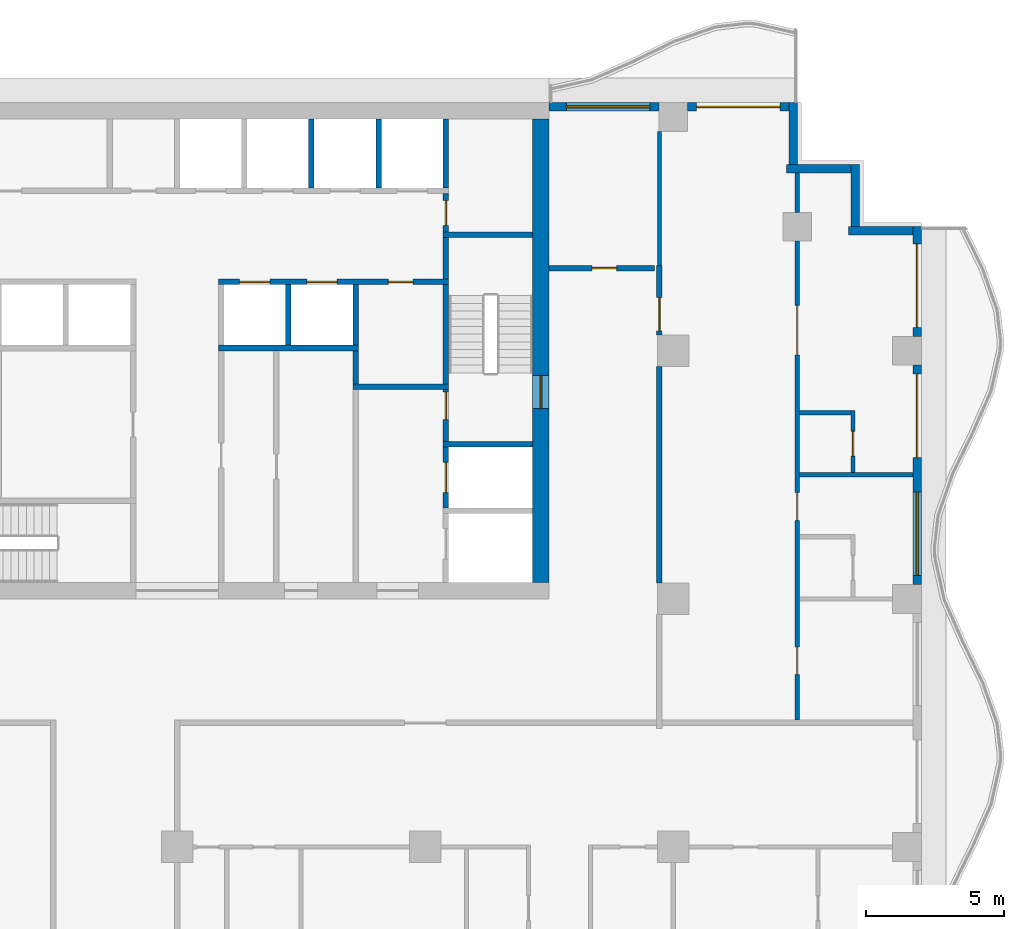
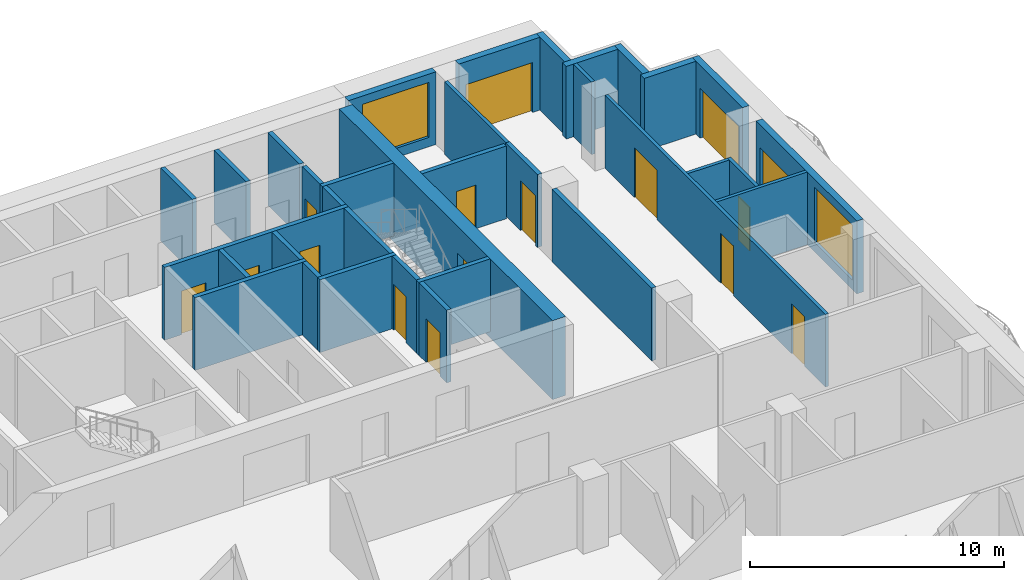
# One storey, part 6 of 11: 34 walls, 16 doors, 2 windows, 18 openings.
"""IFC4 building model written with IfcOpenShell, lengths in metres."""

import ifcopenshell
import ifcopenshell.guid

model = None  # the IFC model being written
_history = None  # IfcOwnerHistory: only IFC2X3 demands one
_inside = {}  # id of a spatial element -> (the spatial element, [elements in it])
_under = {}  # id of a project, library or spatial element -> (it, [spatial elements below it])
_declared = {}  # id of a project -> (the project, [libraries it declares])
_typed = {}  # id of a type object -> (the type object, [elements of that type])
_made_of = {}  # id of a material, layer set ... -> (it, [elements and type objects made of it])


def new_model(schema):
    """Start an empty IFC model of exactly this schema.

    Asked for "IFC4X3", IfcOpenShell would pick the latest addendum, in which some entities
    have other attributes; the version numbers below select the first issue.
    IFC2X3 requires an IfcOwnerHistory on every rooted entity: one is made here for all.
    """
    global model, _history
    if schema == "IFC4X3":
        model = ifcopenshell.file(schema_version=(4, 3, 0, 0))
    else:
        model = ifcopenshell.file(schema=schema)
    _inside.clear()
    _under.clear()
    _declared.clear()
    _typed.clear()
    _made_of.clear()
    _history = None
    if model.schema == "IFC2X3":
        org = make("IfcOrganization", Name="unknown")
        user = make(
            "IfcPersonAndOrganization",
            ThePerson=make("IfcPerson", FamilyName="unknown"),
            TheOrganization=org,
        )
        app = make(
            "IfcApplication",
            ApplicationDeveloper=org,
            Version="unknown",
            ApplicationFullName="unknown",
            ApplicationIdentifier="unknown",
        )
        _history = make(
            "IfcOwnerHistory",
            OwningUser=user,
            OwningApplication=app,
            ChangeAction="ADDED",
            CreationDate=0,
        )
    return model


def make(cls, **values):
    """One entity of the class cls with the attributes given. An attribute that is None is left unset."""
    return model.create_entity(
        cls, **{name: value for name, value in values.items() if value is not None}
    )


def rooted(cls, **values):
    """An entity with a GlobalId (a new one), such as an element, a storey or a relation."""
    return make(cls, GlobalId=ifcopenshell.guid.new(), OwnerHistory=_history, **values)


def si_unit(unit_type, name, prefix=None):
    """IfcSIUnit, for example si_unit("LENGTHUNIT", "METRE", prefix="MILLI")."""
    return make("IfcSIUnit", UnitType=unit_type, Prefix=prefix, Name=name)


def assignment(units):
    """IfcUnitAssignment: the units of a project."""
    return None if units is None else make("IfcUnitAssignment", Units=units)


def point(xyz):
    """IfcCartesianPoint."""
    return None if xyz is None else make("IfcCartesianPoint", Coordinates=xyz)


def direction(xyz):
    """IfcDirection."""
    return None if xyz is None else make("IfcDirection", DirectionRatios=xyz)


def frame(location, z_axis=None, x_axis=None):
    """IfcAxis2Placement3D, a coordinate frame: its origin and axes. An axis left out is left unset."""
    return make(
        "IfcAxis2Placement3D",
        Location=point(location),
        Axis=direction(z_axis),
        RefDirection=direction(x_axis),
    )


def frame_2d(location, x_axis=None):
    """IfcAxis2Placement2D, a coordinate frame in the plane: its origin and x axis."""
    return make(
        "IfcAxis2Placement2D", Location=point(location), RefDirection=direction(x_axis)
    )


def origin():
    """The frame at (0, 0, 0) with its axes left unset."""
    return frame((0.0, 0.0, 0.0))


def place(relative_to, where):
    """IfcLocalPlacement: puts the frame where relative to a parent placement (None: the world)."""
    return make(
        "IfcLocalPlacement", PlacementRelTo=relative_to, RelativePlacement=where
    )


def context(
    kind, dimensions, precision=None, world=None, true_north=None, identifier=None
):
    """IfcGeometricRepresentationContext, for example the 3D "Model" context."""
    return make(
        "IfcGeometricRepresentationContext",
        ContextIdentifier=identifier,
        ContextType=kind,
        CoordinateSpaceDimension=dimensions,
        Precision=precision,
        WorldCoordinateSystem=world,
        TrueNorth=true_north,
    )


def subcontext(parent, identifier, kind, view, scale=None):
    """IfcGeometricRepresentationSubContext, for example "Body" below "Model"."""
    return make(
        "IfcGeometricRepresentationSubContext",
        ContextIdentifier=identifier,
        ContextType=kind,
        ParentContext=parent,
        TargetScale=scale,
        TargetView=view,
    )


def project(units=None, contexts=None):
    """IfcProject with its units and contexts."""
    return rooted(
        "IfcProject",
        Name="project",
        RepresentationContexts=contexts,
        UnitsInContext=assignment(units),
    )


def spatial(cls, under=None, at=None, **own):
    """A site, building, storey or space (cls), placed at a placement, below another one or the project."""
    s = rooted(cls, ObjectPlacement=at, **own)
    if under is not None:
        _under.setdefault(under.id(), (under, []))[1].append(s)
    return s


def profile(cls, at=None, kind="AREA", **sizes):
    """A parametric profile (cls). Its sizes go by their IFC names, for example OverallWidth=200.0."""
    return make(cls, ProfileType=kind, Position=at, **sizes)


def rectangle(**sizes):
    """IfcRectangleProfileDef."""
    return profile("IfcRectangleProfileDef", **sizes)


def extrude(swept, where, along, depth):
    """IfcExtrudedAreaSolid: the profile swept, set in the frame where, extruded along a direction by depth."""
    return make(
        "IfcExtrudedAreaSolid",
        SweptArea=swept,
        Position=where,
        ExtrudedDirection=direction(along),
        Depth=depth,
    )


def shape(context_of_items, identifier, shape_type, items):
    """IfcShapeRepresentation: the items that make up one representation, for example the "Body"."""
    return make(
        "IfcShapeRepresentation",
        ContextOfItems=context_of_items,
        RepresentationIdentifier=identifier,
        RepresentationType=shape_type,
        Items=items,
    )


def material(Name=None, Category=None):
    """IfcMaterial."""
    return make("IfcMaterial", Name=Name, Category=Category)


def layer(
    of_material, thickness, ventilated=None, Name=None, Category=None, Priority=None
):
    """IfcMaterialLayer: one layer of a wall or slab, of a material (None: an air gap)."""
    return make(
        "IfcMaterialLayer",
        Material=of_material,
        LayerThickness=thickness,
        IsVentilated=ventilated,
        Name=Name,
        Category=Category,
        Priority=Priority,
    )


def layer_set(layers, Name=None):
    """IfcMaterialLayerSet."""
    return make("IfcMaterialLayerSet", MaterialLayers=layers, LayerSetName=Name)


def made_of(thing, what):
    """Note that an element or type object is made of a material, layer set ...; save() writes the relation."""
    if what is not None:
        _made_of.setdefault(what.id(), (what, []))[1].append(thing)
    return thing


def type_object(cls, material=None, **own):
    """A type object (cls), such as IfcWallType, which elements share."""
    return made_of(rooted(cls, **own), material)


def element(
    cls,
    number,
    at=None,
    inside=None,
    cuts=None,
    type_object=None,
    material=None,
    context=None,
    identifier="Body",
    shape_type=None,
    held_by="IfcProductDefinitionShape",
    body=None,
    shapes=None,
    **own,
):
    """One element of the class cls, such as IfcWall. Its Tag is "e" and its number.

    at: its placement. inside: the storey or other place that contains it. cuts: it is an
    opening in that element (IfcRelVoidsElement). A single representation is given by context,
    identifier, shape_type and body (its items); several are given by shapes. held_by: the class
    of the entity that holds the representations. save() writes the other relations.
    """
    e = rooted(cls, Tag="e%d" % number, ObjectPlacement=at, **own)
    if body is not None:
        shapes = [shape(context, identifier, shape_type, body)]
    if shapes is not None:
        e.Representation = make(held_by, Representations=shapes)
    if inside is not None:
        _inside.setdefault(inside.id(), (inside, []))[1].append(e)
    if cuts is not None:
        rooted(
            "IfcRelVoidsElement", RelatingBuildingElement=cuts, RelatedOpeningElement=e
        )
    if type_object is not None:
        _typed.setdefault(type_object.id(), (type_object, []))[1].append(e)
    return made_of(e, material)


def fill(opening, filler):
    """IfcRelFillsElement: the door or window that sits in an opening."""
    return rooted(
        "IfcRelFillsElement",
        RelatingOpeningElement=opening,
        RelatedBuildingElement=filler,
    )


def aggregate(whole, parts):
    """IfcRelAggregates: a whole, such as a stair, and the parts it consists of."""
    return rooted("IfcRelAggregates", RelatingObject=whole, RelatedObjects=parts)


def save(model, path):
    """Write the relations noted so far, then the file.

    IfcRelAggregates (storeys below a building ...), IfcRelContainedInSpatialStructure (elements
    in a storey), IfcRelDefinesByType, IfcRelAssociatesMaterial and IfcRelDeclares: one each for
    every whole, place, type object, material and project.
    """
    for whole, parts in _under.values():
        aggregate(whole, parts)
    for where, things in _inside.values():
        rooted(
            "IfcRelContainedInSpatialStructure",
            RelatedElements=things,
            RelatingStructure=where,
        )
    for kind, things in _typed.values():
        rooted("IfcRelDefinesByType", RelatedObjects=things, RelatingType=kind)
    for what, things in _made_of.values():
        rooted("IfcRelAssociatesMaterial", RelatedObjects=things, RelatingMaterial=what)
    for by, libraries in _declared.values():
        rooted("IfcRelDeclares", RelatingContext=by, RelatedDefinitions=libraries)
    model.write(path)


model = new_model("IFC4")

# Units and contexts
model_context = context("Model", 3, precision=1e-05, world=origin(), true_north=direction((0.0, 1.0)))
body_context = subcontext(model_context, "Body", "Model", "MODEL_VIEW")
ifc_project = project(units=[si_unit("LENGTHUNIT", "METRE"), si_unit("AREAUNIT", "SQUARE_METRE"), si_unit("VOLUMEUNIT", "CUBIC_METRE"), si_unit("PLANEANGLEUNIT", "RADIAN"), si_unit("MASSUNIT", "GRAM", prefix="KILO")], contexts=[model_context])

# Site, building, storey
site_placement = place(None, origin())
site = spatial("IfcSite", under=ifc_project, at=site_placement, CompositionType="ELEMENT")
building_placement = place(site_placement, origin())
building = spatial("IfcBuilding", under=site, at=building_placement, Name="Orbiselva Terraces", CompositionType="ELEMENT")
storey_placement = place(building_placement, frame((0.0, 0.0, 184.4)))
storey = spatial("IfcBuildingStorey", under=building, at=storey_placement, Name="L46", CompositionType="ELEMENT", Elevation=184.4)

# Wall, opening, door
ifc_material_1 = material(Name="Concrete C80/95", Category="concrete")
ifc_layer_1 = layer(ifc_material_1, 0.6)
ifc_layer_set_1 = layer_set([ifc_layer_1], Name="Concrete C80/95")
wall_type_1 = type_object("IfcWallType", Name="CORE WALL 600", PredefinedType="SHEAR", material=ifc_layer_set_1)
wall_1_placement = place(storey_placement, frame((13.2, 5.1, -0.3), z_axis=(0.0, 0.0, 1.0), x_axis=(0.0, 1.0, 0.0)))
wall_1 = element("IfcWall", 1, at=wall_1_placement, inside=storey, type_object=wall_type_1, Name="Core wall L46 east", PredefinedType="SHEAR", context=body_context, shape_type="SweptSolid", body=[
    extrude(rectangle(XDim=16.8, YDim=0.6, at=frame_2d((8.4, 0.0))), origin(), (0.0, 0.0, 1.0), 3.8),
])
opening_1_placement = place(wall_1_placement, frame((6.3, 0.0, 0.3)))
opening_1 = element("IfcOpeningElement", 2, at=opening_1_placement, cuts=wall_1, Name="Opening DS1200", PredefinedType="OPENING", context=body_context, shape_type="SweptSolid", body=[
    extrude(rectangle(XDim=1.2, YDim=2.2, at=frame_2d((0.6, 1.1))), frame((0.0, 0.31, 0.0), z_axis=(0.0, -1.0, 0.0), x_axis=(1.0, 0.0, 0.0)), (0.0, 0.0, 1.0), 0.62),
])
ifc_material_2 = material(Name="Steel fire door", Category="steel")
door_type_1 = type_object("IfcDoorType", Name="STAIR DOOR 1200", OperationType="NOTDEFINED", PredefinedType="DOOR", material=ifc_material_2)
door_1_placement = place(opening_1_placement, frame((1.2, 0.0, 0.0), z_axis=(0.0, 0.0, 1.0), x_axis=(-1.0, 0.0, 0.0)))
door_1 = element("IfcDoor", 3, at=door_1_placement, inside=storey, type_object=door_type_1, Name="L46 EXIT STAIR S2 door", OperationType="SINGLE_SWING_LEFT", OverallHeight=2.2, OverallWidth=1.2, PredefinedType="DOOR", context=body_context, shape_type="SweptSolid", body=[
    extrude(rectangle(XDim=1.2, YDim=2.2, at=frame_2d((0.6, 1.1))), frame((0.0, 0.025, 0.0), z_axis=(0.0, -1.0, 0.0), x_axis=(1.0, 0.0, 0.0)), (0.0, 0.0, 1.0), 0.05),
])
fill(opening_1, door_1)

# Wall
ifc_material_3 = material(Name="Masonry blockwork", Category="masonry")
ifc_layer_2 = layer(ifc_material_3, 0.2)
ifc_layer_set_2 = layer_set([ifc_layer_2], Name="Masonry blockwork")
wall_type_2 = type_object("IfcWallType", Name="CORE-WALL-PARTITION-200", PredefinedType="PARTITIONING", material=ifc_layer_set_2)
wall_2_placement = place(storey_placement, frame((6.475, 12.3, 0.0), z_axis=(0.0, 0.0, 1.0), x_axis=(0.0, 1.0, 0.0)))
element("IfcWall", 4, at=wall_2_placement, inside=storey, type_object=wall_type_2, Name="L46 core wall 31", PredefinedType="PARTITIONING", context=body_context, shape_type="SweptSolid", body=[
    extrude(rectangle(XDim=1.2, YDim=0.2, at=frame_2d((0.6, 0.0))), origin(), (0.0, 0.0, 1.0), 3.5),
])

# Wall, opening, door
wall_3_placement = place(storey_placement, frame((9.75, 19.2, 0.0), z_axis=(0.0, 0.0, 1.0), x_axis=(0.0, -1.0, 0.0)))
wall_3 = element("IfcWall", 5, at=wall_3_placement, inside=storey, type_object=wall_type_2, Name="L46 core wall 42", PredefinedType="PARTITIONING", context=body_context, shape_type="SweptSolid", body=[
    extrude(rectangle(XDim=1.4, YDim=0.2, at=frame_2d((0.7, 0.0))), origin(), (0.0, 0.0, 1.0), 3.5),
])
opening_2_placement = place(wall_3_placement, frame((0.25, 0.0, 0.0)))
opening_2 = element("IfcOpeningElement", 6, at=opening_2_placement, cuts=wall_3, Name="Opening DR900", PredefinedType="OPENING", context=body_context, shape_type="SweptSolid", body=[
    extrude(rectangle(XDim=0.9, YDim=2.1, at=frame_2d((0.45, 1.05))), frame((0.0, 0.11, 0.0), z_axis=(0.0, -1.0, 0.0), x_axis=(1.0, 0.0, 0.0)), (0.0, 0.0, 1.0), 0.22),
])
door_type_2 = type_object("IfcDoorType", Name="ROOM DOOR 900", OperationType="NOTDEFINED", PredefinedType="DOOR", material=ifc_material_2)
door_2_placement = place(opening_2_placement, origin())
door_2 = element("IfcDoor", 7, at=door_2_placement, inside=storey, type_object=door_type_2, Name="L46 COMMS RISER ROOM door", OperationType="SINGLE_SWING_RIGHT", OverallHeight=2.1, OverallWidth=0.9, PredefinedType="DOOR", context=body_context, shape_type="SweptSolid", body=[
    extrude(rectangle(XDim=0.9, YDim=2.1, at=frame_2d((0.45, 1.05))), frame((0.0, 0.025, 0.0), z_axis=(0.0, -1.0, 0.0), x_axis=(1.0, 0.0, 0.0)), (0.0, 0.0, 1.0), 0.05),
])
fill(opening_2, door_2)

# Walls
ifc_material_4 = material(Name="Concrete C40/50", Category="concrete")
ifc_layer_3 = layer(ifc_material_4, 0.2)
ifc_layer_set_3 = layer_set([ifc_layer_3], Name="Concrete C40/50")
wall_type_3 = type_object("IfcWallType", Name="CORE-WALL-SHAFT-200", PredefinedType="PARTITIONING", material=ifc_layer_set_3)
wall_4_placement = place(storey_placement, frame((4.0375, 13.7, 0.0), z_axis=(0.0, 0.0, 1.0), x_axis=(0.0, 1.0, 0.0)))
element("IfcWall", 8, at=wall_4_placement, inside=storey, type_object=wall_type_3, Name="L46 core wall 27", PredefinedType="PARTITIONING", context=body_context, shape_type="SweptSolid", body=[
    extrude(rectangle(XDim=2.2, YDim=0.2, at=frame_2d((1.1, 0.0))), origin(), (0.0, 0.0, 1.0), 3.5),
])
wall_5_placement = place(storey_placement, frame((4.875, 19.4, 0.0), z_axis=(0.0, 0.0, 1.0), x_axis=(0.0, 1.0, 0.0)))
element("IfcWall", 9, at=wall_5_placement, inside=storey, type_object=wall_type_3, Name="L46 core wall 28", PredefinedType="PARTITIONING", context=body_context, shape_type="SweptSolid", body=[
    extrude(rectangle(XDim=2.5, YDim=0.2, at=frame_2d((1.25, 0.0))), origin(), (0.0, 0.0, 1.0), 3.5),
])
wall_6_placement = place(storey_placement, frame((6.475, 13.7, 0.0), z_axis=(0.0, 0.0, 1.0), x_axis=(0.0, 1.0, 0.0)))
element("IfcWall", 10, at=wall_6_placement, inside=storey, type_object=wall_type_3, Name="L46 core wall 32", PredefinedType="PARTITIONING", context=body_context, shape_type="SweptSolid", body=[
    extrude(rectangle(XDim=2.2, YDim=0.2, at=frame_2d((1.1, 0.0))), origin(), (0.0, 0.0, 1.0), 3.5),
])
for number, where, z_axis, x_axis, name in (
    (11, (7.3125, 19.4, 0.0), (0.0, 0.0, 1.0), (0.0, 1.0, 0.0), "L46 core wall 33"),
    (12, (9.75, 19.4, 0.0), (0.0, 0.0, 1.0), (0.0, 1.0, 0.0), "L46 core wall 43"),
):
    element("IfcWall", number, at=place(storey_placement, frame(where, z_axis=z_axis, x_axis=x_axis)), inside=storey, type_object=wall_type_3, Name=name, PredefinedType="PARTITIONING", context=body_context, shape_type="SweptSolid", body=[
        extrude(rectangle(XDim=2.5, YDim=0.2, at=frame_2d((1.25, 0.0))), origin(), (0.0, 0.0, 1.0), 3.5),
    ])
ifc_material_5 = material(Name="Concrete C60/75", Category="concrete")
ifc_layer_4 = layer(ifc_material_5, 0.2)
ifc_layer_set_4 = layer_set([ifc_layer_4], Name="Concrete C60/75")
wall_type_4 = type_object("IfcWallType", Name="CORE-WALL-SHEAR-200", PredefinedType="SHEAR", material=ifc_layer_set_4)
wall_7_placement = place(storey_placement, frame((1.5, 13.6, 0.0), z_axis=(0.0, 0.0, 1.0), x_axis=(1.0, 0.0, 0.0)))
element("IfcWall", 13, at=wall_7_placement, inside=storey, type_object=wall_type_4, Name="L46 core wall 22", PredefinedType="SHEAR", context=body_context, shape_type="SweptSolid", body=[
    extrude(rectangle(XDim=5.075, YDim=0.2, at=frame_2d((2.5375, 0.0))), origin(), (0.0, 0.0, 1.0), 3.5),
])

# Wall, openings, doors
wall_8_placement = place(storey_placement, frame((9.85, 16.0, 0.0), z_axis=(0.0, 0.0, 1.0), x_axis=(-1.0, 0.0, 0.0)))
wall_8 = element("IfcWall", 14, at=wall_8_placement, inside=storey, type_object=wall_type_4, Name="L46 core wall 24", PredefinedType="SHEAR", context=body_context, shape_type="SweptSolid", body=[
    extrude(rectangle(XDim=8.35, YDim=0.2, at=frame_2d((4.175, 0.0))), origin(), (0.0, 0.0, 1.0), 3.5),
])
opening_3_placement = place(wall_8_placement, frame((6.48125, 0.0, 0.0)))
opening_3 = element("IfcOpeningElement", 15, at=opening_3_placement, cuts=wall_8, Name="Opening LD-HR5", PredefinedType="OPENING", context=body_context, shape_type="SweptSolid", body=[
    extrude(rectangle(XDim=1.1, YDim=2.1, at=frame_2d((0.55, 1.05))), frame((0.0, 0.11, 0.0), z_axis=(0.0, -1.0, 0.0), x_axis=(1.0, 0.0, 0.0)), (0.0, 0.0, 1.0), 0.22),
])
opening_4_placement = place(wall_8_placement, frame((4.04375, 0.0, 0.0)))
opening_4 = element("IfcOpeningElement", 16, at=opening_4_placement, cuts=wall_8, Name="Opening LD-HR6", PredefinedType="OPENING", context=body_context, shape_type="SweptSolid", body=[
    extrude(rectangle(XDim=1.1, YDim=2.1, at=frame_2d((0.55, 1.05))), frame((0.0, 0.11, 0.0), z_axis=(0.0, -1.0, 0.0), x_axis=(1.0, 0.0, 0.0)), (0.0, 0.0, 1.0), 0.22),
])
opening_5_placement = place(wall_8_placement, frame((1.2875, 0.0, 0.0)))
opening_5 = element("IfcOpeningElement", 17, at=opening_5_placement, cuts=wall_8, Name="Opening DR900", PredefinedType="OPENING", context=body_context, shape_type="SweptSolid", body=[
    extrude(rectangle(XDim=0.9, YDim=2.1, at=frame_2d((0.45, 1.05))), frame((0.0, 0.11, 0.0), z_axis=(0.0, -1.0, 0.0), x_axis=(1.0, 0.0, 0.0)), (0.0, 0.0, 1.0), 0.22),
])
ifc_material_6 = material(Name="Stainless steel landing door", Category="steel")
door_type_3 = type_object("IfcDoorType", Name="LANDING DOOR 1100", OperationType="SLIDING_TO_LEFT", PredefinedType="DOOR", material=ifc_material_6)
door_3_placement = place(opening_3_placement, origin())
door_3 = element("IfcDoor", 18, at=door_3_placement, inside=storey, type_object=door_type_3, Name="L46 landing door HR5", OperationType="SLIDING_TO_RIGHT", OverallHeight=2.1, OverallWidth=1.1, PredefinedType="DOOR", context=body_context, shape_type="SweptSolid", body=[
    extrude(rectangle(XDim=1.1, YDim=2.1, at=frame_2d((0.55, 1.05))), frame((0.0, 0.025, 0.0), z_axis=(0.0, -1.0, 0.0), x_axis=(1.0, 0.0, 0.0)), (0.0, 0.0, 1.0), 0.05),
])
fill(opening_3, door_3)
door_4_placement = place(opening_4_placement, origin())
door_4 = element("IfcDoor", 19, at=door_4_placement, inside=storey, type_object=door_type_3, Name="L46 landing door HR6", OperationType="SLIDING_TO_RIGHT", OverallHeight=2.1, OverallWidth=1.1, PredefinedType="DOOR", context=body_context, shape_type="SweptSolid", body=[
    extrude(rectangle(XDim=1.1, YDim=2.1, at=frame_2d((0.55, 1.05))), frame((0.0, 0.025, 0.0), z_axis=(0.0, -1.0, 0.0), x_axis=(1.0, 0.0, 0.0)), (0.0, 0.0, 1.0), 0.05),
])
fill(opening_4, door_4)
door_5_placement = place(opening_5_placement, origin())
door_5 = element("IfcDoor", 20, at=door_5_placement, inside=storey, type_object=door_type_2, Name="L46 PIPE RISER ROOM door", OperationType="SINGLE_SWING_LEFT", OverallHeight=2.1, OverallWidth=0.9, PredefinedType="DOOR", context=body_context, shape_type="SweptSolid", body=[
    extrude(rectangle(XDim=0.9, YDim=2.1, at=frame_2d((0.45, 1.05))), frame((0.0, 0.025, 0.0), z_axis=(0.0, -1.0, 0.0), x_axis=(1.0, 0.0, 0.0)), (0.0, 0.0, 1.0), 0.05),
])
fill(opening_5, door_5)

# Wall
wall_9_placement = place(storey_placement, frame((6.375, 12.2, 0.0), z_axis=(0.0, 0.0, 1.0), x_axis=(1.0, 0.0, 0.0)))
element("IfcWall", 21, at=wall_9_placement, inside=storey, type_object=wall_type_4, Name="L46 core wall 30", PredefinedType="SHEAR", context=body_context, shape_type="SweptSolid", body=[
    extrude(rectangle(XDim=3.475, YDim=0.2, at=frame_2d((1.7375, 0.0))), origin(), (0.0, 0.0, 1.0), 3.5),
])

# Wall, opening, door
wall_10_placement = place(storey_placement, frame((9.75, 7.8, 0.0), z_axis=(0.0, 0.0, 1.0), x_axis=(0.0, 1.0, 0.0)))
wall_10 = element("IfcWall", 22, at=wall_10_placement, inside=storey, type_object=wall_type_4, Name="L46 core wall 36", PredefinedType="SHEAR", context=body_context, shape_type="SweptSolid", body=[
    extrude(rectangle(XDim=2.2, YDim=0.2, at=frame_2d((1.1, 0.0))), origin(), (0.0, 0.0, 1.0), 3.5),
])
opening_6_placement = place(wall_10_placement, frame((0.55, 0.0, 0.0)))
opening_6 = element("IfcOpeningElement", 23, at=opening_6_placement, cuts=wall_10, Name="Opening LD-FF2", PredefinedType="OPENING", context=body_context, shape_type="SweptSolid", body=[
    extrude(rectangle(XDim=1.1, YDim=2.1, at=frame_2d((0.55, 1.05))), frame((0.0, 0.11, 0.0), z_axis=(0.0, -1.0, 0.0), x_axis=(1.0, 0.0, 0.0)), (0.0, 0.0, 1.0), 0.22),
])
door_6_placement = place(opening_6_placement, origin())
door_6 = element("IfcDoor", 24, at=door_6_placement, inside=storey, type_object=door_type_3, Name="L46 landing door FF2", OperationType="SLIDING_TO_RIGHT", OverallHeight=2.1, OverallWidth=1.1, PredefinedType="DOOR", context=body_context, shape_type="SweptSolid", body=[
    extrude(rectangle(XDim=1.1, YDim=2.1, at=frame_2d((0.55, 1.05))), frame((0.0, 0.025, 0.0), z_axis=(0.0, -1.0, 0.0), x_axis=(1.0, 0.0, 0.0)), (0.0, 0.0, 1.0), 0.05),
])
fill(opening_6, door_6)

# Wall
wall_11_placement = place(storey_placement, frame((9.65, 10.1, 0.0), z_axis=(0.0, 0.0, 1.0), x_axis=(1.0, 0.0, 0.0)))
element("IfcWall", 25, at=wall_11_placement, inside=storey, type_object=wall_type_4, Name="L46 core wall 37", PredefinedType="SHEAR", context=body_context, shape_type="SweptSolid", body=[
    extrude(rectangle(XDim=3.25, YDim=0.2, at=frame_2d((1.625, 0.0))), origin(), (0.0, 0.0, 1.0), 3.5),
])

# Wall, opening, door
wall_12_placement = place(storey_placement, frame((9.75, 12.1, 0.0), z_axis=(0.0, 0.0, 1.0), x_axis=(0.0, -1.0, 0.0)))
wall_12 = element("IfcWall", 26, at=wall_12_placement, inside=storey, type_object=wall_type_4, Name="L46 core wall 38", PredefinedType="SHEAR", context=body_context, shape_type="SweptSolid", body=[
    extrude(rectangle(XDim=1.9, YDim=0.2, at=frame_2d((0.95, 0.0))), origin(), (0.0, 0.0, 1.0), 3.5),
])
opening_7_placement = place(wall_12_placement, frame((0.1, 0.0, 0.0)))
opening_7 = element("IfcOpeningElement", 27, at=opening_7_placement, cuts=wall_12, Name="Opening DS1000", PredefinedType="OPENING", context=body_context, shape_type="SweptSolid", body=[
    extrude(rectangle(XDim=1.0, YDim=2.2, at=frame_2d((0.5, 1.1))), frame((0.0, 0.11, 0.0), z_axis=(0.0, -1.0, 0.0), x_axis=(1.0, 0.0, 0.0)), (0.0, 0.0, 1.0), 0.22),
])
door_type_4 = type_object("IfcDoorType", Name="STAIR DOOR 1000", OperationType="NOTDEFINED", PredefinedType="DOOR", material=ifc_material_2)
door_7_placement = place(opening_7_placement, origin())
door_7 = element("IfcDoor", 28, at=door_7_placement, inside=storey, type_object=door_type_4, Name="L46 FIRE-FIGHTING LOBBY TO EXIT STAIR S2 door", OperationType="SINGLE_SWING_LEFT", OverallHeight=2.2, OverallWidth=1.0, PredefinedType="DOOR", context=body_context, shape_type="SweptSolid", body=[
    extrude(rectangle(XDim=1.0, YDim=2.2, at=frame_2d((0.5, 1.1))), frame((0.0, 0.025, 0.0), z_axis=(0.0, -1.0, 0.0), x_axis=(1.0, 0.0, 0.0)), (0.0, 0.0, 1.0), 0.05),
])
fill(opening_7, door_7)

# Walls
wall_13_placement = place(storey_placement, frame((9.75, 12.3, 0.0), z_axis=(0.0, 0.0, 1.0), x_axis=(0.0, 1.0, 0.0)))
element("IfcWall", 29, at=wall_13_placement, inside=storey, type_object=wall_type_4, Name="L46 core wall 39", PredefinedType="SHEAR", context=body_context, shape_type="SweptSolid", body=[
    extrude(rectangle(XDim=3.6, YDim=0.2, at=frame_2d((1.8, 0.0))), origin(), (0.0, 0.0, 1.0), 3.5),
])
wall_14_placement = place(storey_placement, frame((9.75, 16.1, 0.0), z_axis=(0.0, 0.0, 1.0), x_axis=(0.0, 1.0, 0.0)))
element("IfcWall", 30, at=wall_14_placement, inside=storey, type_object=wall_type_4, Name="L46 core wall 40", PredefinedType="SHEAR", context=body_context, shape_type="SweptSolid", body=[
    extrude(rectangle(XDim=1.5, YDim=0.2, at=frame_2d((0.75, 0.0))), origin(), (0.0, 0.0, 1.0), 3.5),
])
wall_15_placement = place(storey_placement, frame((9.65, 17.7, 0.0), z_axis=(0.0, 0.0, 1.0), x_axis=(1.0, 0.0, 0.0)))
element("IfcWall", 31, at=wall_15_placement, inside=storey, type_object=wall_type_4, Name="L46 core wall 41", PredefinedType="SHEAR", context=body_context, shape_type="SweptSolid", body=[
    extrude(rectangle(XDim=3.25, YDim=0.2, at=frame_2d((1.625, 0.0))), origin(), (0.0, 0.0, 1.0), 3.5),
])

# Wall, openings, door, window
ifc_material_7 = material(Name="Terracotta cladding on masonry backing", Category="masonry")
ifc_layer_5 = layer(ifc_material_7, 0.3)
ifc_layer_set_5 = layer_set([ifc_layer_5], Name="Terracotta cladding on masonry backing")
wall_type_5 = type_object("IfcWallType", Name="ENV-WALL-TERRACOTTA-300", PredefinedType="SOLIDWALL", material=ifc_layer_set_5)
wall_16_placement = place(storey_placement, frame((26.85, 12.975, 0.0), z_axis=(0.0, 0.0, 1.0), x_axis=(0.0, -1.0, 0.0)))
wall_16 = element("IfcWall", 32, at=wall_16_placement, inside=storey, type_object=wall_type_5, Name="Facade wall L46 E", PredefinedType="SOLIDWALL", context=body_context, shape_type="SweptSolid", body=[
    extrude(rectangle(XDim=7.95, YDim=0.3, at=frame_2d((3.975, 0.0))), origin(), (0.0, 0.0, 1.0), 3.5),
])
opening_8_placement = place(wall_16_placement, frame((4.6, 0.0, 0.45)))
opening_8 = element("IfcOpeningElement", 33, at=opening_8_placement, cuts=wall_16, Name="Opening WN14", PredefinedType="OPENING", context=body_context, shape_type="SweptSolid", body=[
    extrude(rectangle(XDim=3.025, YDim=2.65, at=frame_2d((1.5125, 1.325))), frame((0.0, 0.16, 0.0), z_axis=(0.0, -1.0, 0.0), x_axis=(1.0, 0.0, 0.0)), (0.0, 0.0, 1.0), 0.32),
])
opening_9_placement = place(wall_16_placement, frame((0.325, 0.0, 0.0)))
opening_9 = element("IfcOpeningElement", 34, at=opening_9_placement, cuts=wall_16, Name="Opening Z4-A-E07", PredefinedType="OPENING", context=body_context, shape_type="SweptSolid", body=[
    extrude(rectangle(XDim=3.025, YDim=2.4, at=frame_2d((1.5125, 1.2))), frame((0.0, 0.16, 0.0), z_axis=(0.0, -1.0, 0.0), x_axis=(1.0, 0.0, 0.0)), (0.0, 0.0, 1.0), 0.32),
])
ifc_material_8 = material(Name="Clear low-e glazing in aluminium frame", Category="aluminium")
door_type_5 = type_object("IfcDoorType", Name="BALCONY DOOR 3025 X 2400", OperationType="DOUBLE_DOOR_SLIDING", PredefinedType="DOOR", material=ifc_material_8)
door_8_placement = place(opening_9_placement, origin())
door_8 = element("IfcDoor", 35, at=door_8_placement, inside=storey, type_object=door_type_5, Name="Z4-A-E07", OperationType="SINGLE_SWING_LEFT", OverallHeight=2.4, OverallWidth=3.025, PredefinedType="DOOR", context=body_context, shape_type="SweptSolid", body=[
    extrude(rectangle(XDim=3.025, YDim=2.4, at=frame_2d((1.5125, 1.2))), frame((0.0, 0.025, 0.0), z_axis=(0.0, -1.0, 0.0), x_axis=(1.0, 0.0, 0.0)), (0.0, 0.0, 1.0), 0.05),
])
fill(opening_9, door_8)
window_type = type_object("IfcWindowType", Name="WINDOW 3025 X 2650 S450", PartitioningType="TRIPLE_PANEL_VERTICAL", PredefinedType="WINDOW", material=ifc_material_8)
window_1_placement = place(opening_8_placement, origin())
window_1 = element("IfcWindow", 36, at=window_1_placement, inside=storey, type_object=window_type, Name="Window L46 E", OverallHeight=2.65, OverallWidth=3.025, PartitioningType="SINGLE_PANEL", PredefinedType="WINDOW", context=body_context, shape_type="SweptSolid", body=[
    extrude(rectangle(XDim=3.025, YDim=2.65, at=frame_2d((1.5125, 1.325))), frame((0.0, 0.03, 0.0), z_axis=(0.0, -1.0, 0.0), x_axis=(1.0, 0.0, 0.0)), (0.0, 0.0, 1.0), 0.06),
])
fill(opening_8, window_1)

# Wall, opening, door
wall_17_placement = place(storey_placement, frame((26.85, 18.0, 0.0), z_axis=(0.0, 0.0, 1.0), x_axis=(0.0, -1.0, 0.0)))
wall_17 = element("IfcWall", 37, at=wall_17_placement, inside=storey, type_object=wall_type_5, Name="Facade wall L46 E", PredefinedType="SOLIDWALL", context=body_context, shape_type="SweptSolid", body=[
    extrude(rectangle(XDim=3.975, YDim=0.3, at=frame_2d((1.9875, 0.0))), origin(), (0.0, 0.0, 1.0), 3.5),
])
opening_10_placement = place(wall_17_placement, frame((0.625, 0.0, 0.0)))
opening_10 = element("IfcOpeningElement", 38, at=opening_10_placement, cuts=wall_17, Name="Opening Z4-A-E08", PredefinedType="OPENING", context=body_context, shape_type="SweptSolid", body=[
    extrude(rectangle(XDim=3.025, YDim=2.4, at=frame_2d((1.5125, 1.2))), frame((0.0, 0.16, 0.0), z_axis=(0.0, -1.0, 0.0), x_axis=(1.0, 0.0, 0.0)), (0.0, 0.0, 1.0), 0.32),
])
door_9_placement = place(opening_10_placement, origin())
door_9 = element("IfcDoor", 39, at=door_9_placement, inside=storey, type_object=door_type_5, Name="Z4-A-E08", OperationType="SINGLE_SWING_LEFT", OverallHeight=2.4, OverallWidth=3.025, PredefinedType="DOOR", context=body_context, shape_type="SweptSolid", body=[
    extrude(rectangle(XDim=3.025, YDim=2.4, at=frame_2d((1.5125, 1.2))), frame((0.0, 0.025, 0.0), z_axis=(0.0, -1.0, 0.0), x_axis=(1.0, 0.0, 0.0)), (0.0, 0.0, 1.0), 0.05),
])
fill(opening_10, door_9)

# Walls
wall_18_placement = place(storey_placement, frame((24.35, 17.85, 0.0), z_axis=(0.0, 0.0, 1.0), x_axis=(1.0, 0.0, 0.0)))
element("IfcWall", 40, at=wall_18_placement, inside=storey, type_object=wall_type_5, Name="Facade wall L46 STEP", PredefinedType="SOLIDWALL", context=body_context, shape_type="SweptSolid", body=[
    extrude(rectangle(XDim=2.35, YDim=0.3, at=frame_2d((1.175, 0.0))), origin(), (0.0, 0.0, 1.0), 3.5),
])
wall_19_placement = place(storey_placement, frame((24.6, 20.25, 0.0), z_axis=(0.0, 0.0, 1.0), x_axis=(0.0, -1.0, 0.0)))
element("IfcWall", 41, at=wall_19_placement, inside=storey, type_object=wall_type_5, Name="Facade wall L46 STEP", PredefinedType="SOLIDWALL", context=body_context, shape_type="SweptSolid", body=[
    extrude(rectangle(XDim=2.25, YDim=0.3, at=frame_2d((1.125, 0.0))), origin(), (0.0, 0.0, 1.0), 3.5),
])
wall_20_placement = place(storey_placement, frame((22.1, 20.1, 0.0), z_axis=(0.0, 0.0, 1.0), x_axis=(1.0, 0.0, 0.0)))
element("IfcWall", 42, at=wall_20_placement, inside=storey, type_object=wall_type_5, Name="Facade wall L46 STEP", PredefinedType="SOLIDWALL", context=body_context, shape_type="SweptSolid", body=[
    extrude(rectangle(XDim=2.35, YDim=0.3, at=frame_2d((1.175, 0.0))), origin(), (0.0, 0.0, 1.0), 3.5),
])
wall_21_placement = place(storey_placement, frame((22.35, 22.5, 0.0), z_axis=(0.0, 0.0, 1.0), x_axis=(0.0, -1.0, 0.0)))
element("IfcWall", 43, at=wall_21_placement, inside=storey, type_object=wall_type_5, Name="Facade wall L46 STEP", PredefinedType="SOLIDWALL", context=body_context, shape_type="SweptSolid", body=[
    extrude(rectangle(XDim=2.25, YDim=0.3, at=frame_2d((1.125, 0.0))), origin(), (0.0, 0.0, 1.0), 3.5),
])

# Wall, opening, door
wall_22_placement = place(storey_placement, frame((18.525, 22.35, 0.0), z_axis=(0.0, 0.0, 1.0), x_axis=(1.0, 0.0, 0.0)))
wall_22 = element("IfcWall", 44, at=wall_22_placement, inside=storey, type_object=wall_type_5, Name="Facade wall L46 NE", PredefinedType="SOLIDWALL", context=body_context, shape_type="SweptSolid", body=[
    extrude(rectangle(XDim=3.675, YDim=0.3, at=frame_2d((1.8375, 0.0))), origin(), (0.0, 0.0, 1.0), 3.5),
])
opening_11_placement = place(wall_22_placement, frame((0.325, 0.0, 0.0)))
opening_11 = element("IfcOpeningElement", 45, at=opening_11_placement, cuts=wall_22, Name="Opening Z4-A-E09", PredefinedType="OPENING", context=body_context, shape_type="SweptSolid", body=[
    extrude(rectangle(XDim=3.025, YDim=2.4, at=frame_2d((1.5125, 1.2))), frame((0.0, 0.16, 0.0), z_axis=(0.0, -1.0, 0.0), x_axis=(1.0, 0.0, 0.0)), (0.0, 0.0, 1.0), 0.32),
])
door_10_placement = place(opening_11_placement, origin())
door_10 = element("IfcDoor", 46, at=door_10_placement, inside=storey, type_object=door_type_5, Name="Z4-A-E09", OperationType="SINGLE_SWING_LEFT", OverallHeight=2.4, OverallWidth=3.025, PredefinedType="DOOR", context=body_context, shape_type="SweptSolid", body=[
    extrude(rectangle(XDim=3.025, YDim=2.4, at=frame_2d((1.5125, 1.2))), frame((0.0, 0.025, 0.0), z_axis=(0.0, -1.0, 0.0), x_axis=(1.0, 0.0, 0.0)), (0.0, 0.0, 1.0), 0.05),
])
fill(opening_11, door_10)

# Wall, opening, window
wall_23_placement = place(storey_placement, frame((13.5, 22.35, 0.0), z_axis=(0.0, 0.0, 1.0), x_axis=(1.0, 0.0, 0.0)))
wall_23 = element("IfcWall", 47, at=wall_23_placement, inside=storey, type_object=wall_type_5, Name="Facade wall L46 NE", PredefinedType="SOLIDWALL", context=body_context, shape_type="SweptSolid", body=[
    extrude(rectangle(XDim=3.975, YDim=0.3, at=frame_2d((1.9875, 0.0))), origin(), (0.0, 0.0, 1.0), 3.5),
])
opening_12_placement = place(wall_23_placement, frame((0.625, 0.0, 0.45)))
opening_12 = element("IfcOpeningElement", 48, at=opening_12_placement, cuts=wall_23, Name="Opening WN14", PredefinedType="OPENING", context=body_context, shape_type="SweptSolid", body=[
    extrude(rectangle(XDim=3.025, YDim=2.65, at=frame_2d((1.5125, 1.325))), frame((0.0, 0.16, 0.0), z_axis=(0.0, -1.0, 0.0), x_axis=(1.0, 0.0, 0.0)), (0.0, 0.0, 1.0), 0.32),
])
window_2_placement = place(opening_12_placement, origin())
window_2 = element("IfcWindow", 49, at=window_2_placement, inside=storey, type_object=window_type, Name="Window L46 NE", OverallHeight=2.65, OverallWidth=3.025, PartitioningType="SINGLE_PANEL", PredefinedType="WINDOW", context=body_context, shape_type="SweptSolid", body=[
    extrude(rectangle(XDim=3.025, YDim=2.65, at=frame_2d((1.5125, 1.325))), frame((0.0, 0.03, 0.0), z_axis=(0.0, -1.0, 0.0), x_axis=(1.0, 0.0, 0.0)), (0.0, 0.0, 1.0), 0.06),
])
fill(opening_12, window_2)

# Wall, opening, door
ifc_material_9 = material(Name="Plasterboard on steel stud partition", Category="steel")
ifc_layer_6 = layer(ifc_material_9, 0.2)
ifc_layer_set_6 = layer_set([ifc_layer_6], Name="Plasterboard on steel stud partition")
wall_type_6 = type_object("IfcWallType", Name="UNIT-ENTRANCE-WALL-200", PredefinedType="PARTITIONING", material=ifc_layer_set_6)
wall_24_placement = place(storey_placement, frame((13.5, 16.5, 0.0), z_axis=(0.0, 0.0, 1.0), x_axis=(1.0, 0.0, 0.0)))
wall_24 = element("IfcWall", 50, at=wall_24_placement, inside=storey, type_object=wall_type_6, Name="PARTITION L46-039", PredefinedType="PARTITIONING", context=body_context, shape_type="SweptSolid", body=[
    extrude(rectangle(XDim=3.825, YDim=0.2, at=frame_2d((1.9125, 0.0))), origin(), (0.0, 0.0, 1.0), 3.5),
])
opening_13_placement = place(wall_24_placement, frame((1.55, 0.0, 0.0)))
opening_13 = element("IfcOpeningElement", 51, at=opening_13_placement, cuts=wall_24, Name="Opening Z4-A-01", PredefinedType="OPENING", context=body_context, shape_type="SweptSolid", body=[
    extrude(rectangle(XDim=0.9, YDim=2.1, at=frame_2d((0.45, 1.05))), frame((0.0, 0.11, 0.0), z_axis=(0.0, -1.0, 0.0), x_axis=(1.0, 0.0, 0.0)), (0.0, 0.0, 1.0), 0.22),
])
ifc_material_10 = material(Name="Painted timber door leaf", Category="wood")
door_type_6 = type_object("IfcDoorType", Name="SERVICE DOOR 900", OperationType="NOTDEFINED", PredefinedType="DOOR", material=ifc_material_10)
door_11_placement = place(opening_13_placement, origin())
door_11 = element("IfcDoor", 52, at=door_11_placement, inside=storey, type_object=door_type_6, Name="Z4-A-01", OperationType="SINGLE_SWING_RIGHT", OverallHeight=2.1, OverallWidth=0.9, PredefinedType="DOOR", context=body_context, shape_type="SweptSolid", body=[
    extrude(rectangle(XDim=0.9, YDim=2.1, at=frame_2d((0.45, 1.05))), frame((0.0, 0.025, 0.0), z_axis=(0.0, -1.0, 0.0), x_axis=(1.0, 0.0, 0.0)), (0.0, 0.0, 1.0), 0.05),
])
fill(opening_13, door_11)

# Wall
wall_25_placement = place(storey_placement, frame((17.5, 5.075, 0.0), z_axis=(0.0, 0.0, 1.0), x_axis=(0.0, 1.0, 0.0)))
element("IfcWall", 53, at=wall_25_placement, inside=storey, type_object=wall_type_6, Name="PARTITION L46-073", PredefinedType="PARTITIONING", context=body_context, shape_type="SweptSolid", body=[
    extrude(rectangle(XDim=7.85, YDim=0.2, at=frame_2d((3.925, 0.0))), origin(), (0.0, 0.0, 1.0), 3.5),
])

# Wall, opening, door
wall_26_placement = place(storey_placement, frame((17.5, 16.6, 0.0), z_axis=(0.0, 0.0, 1.0), x_axis=(0.0, -1.0, 0.0)))
wall_26 = element("IfcWall", 54, at=wall_26_placement, inside=storey, type_object=wall_type_6, Name="PARTITION L46-074", PredefinedType="PARTITIONING", context=body_context, shape_type="SweptSolid", body=[
    extrude(rectangle(XDim=2.525, YDim=0.2, at=frame_2d((1.2625, 0.0))), origin(), (0.0, 0.0, 1.0), 3.5),
])
opening_14_placement = place(wall_26_placement, frame((1.175, 0.0, 0.0)))
opening_14 = element("IfcOpeningElement", 55, at=opening_14_placement, cuts=wall_26, Name="Opening Z4-A-08", PredefinedType="OPENING", context=body_context, shape_type="SweptSolid", body=[
    extrude(rectangle(XDim=1.2, YDim=2.4, at=frame_2d((0.6, 1.2))), frame((0.0, 0.11, 0.0), z_axis=(0.0, -1.0, 0.0), x_axis=(1.0, 0.0, 0.0)), (0.0, 0.0, 1.0), 0.22),
])
door_type_7 = type_object("IfcDoorType", Name="ENTRANCE DOOR 1200", OperationType="NOTDEFINED", PredefinedType="DOOR", material=ifc_material_10)
door_12_placement = place(opening_14_placement, origin())
door_12 = element("IfcDoor", 56, at=door_12_placement, inside=storey, type_object=door_type_7, Name="Z4-A-08", OperationType="SINGLE_SWING_RIGHT", OverallHeight=2.4, OverallWidth=1.2, PredefinedType="DOOR", context=body_context, shape_type="SweptSolid", body=[
    extrude(rectangle(XDim=1.2, YDim=2.4, at=frame_2d((0.6, 1.2))), frame((0.0, 0.025, 0.0), z_axis=(0.0, -1.0, 0.0), x_axis=(1.0, 0.0, 0.0)), (0.0, 0.0, 1.0), 0.05),
])
fill(opening_14, door_12)

# Walls
ifc_layer_7 = layer(ifc_material_9, 0.15)
ifc_layer_set_7 = layer_set([ifc_layer_7], Name="Plasterboard on steel stud partition")
wall_type_7 = type_object("IfcWallType", Name="UNIT-PARTITION-150", PredefinedType="PARTITIONING", material=ifc_layer_set_7)
wall_27_placement = place(storey_placement, frame((22.575, 9.0, 0.0), z_axis=(0.0, 0.0, 1.0), x_axis=(1.0, 0.0, 0.0)))
element("IfcWall", 57, at=wall_27_placement, inside=storey, type_object=wall_type_7, Name="PARTITION L46-035", PredefinedType="PARTITIONING", context=body_context, shape_type="SweptSolid", body=[
    extrude(rectangle(XDim=4.125, YDim=0.15, at=frame_2d((2.0625, 0.0))), origin(), (0.0, 0.0, 1.0), 3.5),
])
wall_28_placement = place(storey_placement, frame((22.575, 11.25, 0.0), z_axis=(0.0, 0.0, 1.0), x_axis=(1.0, 0.0, 0.0)))
element("IfcWall", 58, at=wall_28_placement, inside=storey, type_object=wall_type_7, Name="PARTITION L46-036", PredefinedType="PARTITIONING", context=body_context, shape_type="SweptSolid", body=[
    extrude(rectangle(XDim=1.875, YDim=0.15, at=frame_2d((0.9375, 0.0))), origin(), (0.0, 0.0, 1.0), 3.5),
])
wall_29_placement = place(storey_placement, frame((17.5, 16.4, 0.0), z_axis=(0.0, 0.0, 1.0), x_axis=(0.0, 1.0, 0.0)))
element("IfcWall", 59, at=wall_29_placement, inside=storey, type_object=wall_type_7, Name="PARTITION L46-075", PredefinedType="PARTITIONING", context=body_context, shape_type="SweptSolid", body=[
    extrude(rectangle(XDim=5.05, YDim=0.15, at=frame_2d((2.525, 0.0))), origin(), (0.0, 0.0, 1.0), 3.5),
])

# Wall, openings, doors
wall_30_placement = place(storey_placement, frame((22.5, 17.475, 0.0), z_axis=(0.0, 0.0, 1.0), x_axis=(0.0, -1.0, 0.0)))
wall_30 = element("IfcWall", 60, at=wall_30_placement, inside=storey, type_object=wall_type_7, Name="PARTITION L46-081", PredefinedType="PARTITIONING", context=body_context, shape_type="SweptSolid", body=[
    extrude(rectangle(XDim=17.375, YDim=0.15, at=frame_2d((8.6875, 0.0))), origin(), (0.0, 0.0, 1.0), 3.5),
])
opening_15_placement = place(wall_30_placement, frame((14.725, 0.0, 0.0)))
opening_15 = element("IfcOpeningElement", 61, at=opening_15_placement, cuts=wall_30, Name="Opening Z4-A-09", PredefinedType="OPENING", context=body_context, shape_type="SweptSolid", body=[
    extrude(rectangle(XDim=1.0, YDim=2.4, at=frame_2d((0.5, 1.2))), frame((0.0, 0.085, 0.0), z_axis=(0.0, -1.0, 0.0), x_axis=(1.0, 0.0, 0.0)), (0.0, 0.0, 1.0), 0.17),
])
opening_16_placement = place(wall_30_placement, frame((9.125, 0.0, 0.0)))
opening_16 = element("IfcOpeningElement", 62, at=opening_16_placement, cuts=wall_30, Name="Opening Z4-A-10", PredefinedType="OPENING", context=body_context, shape_type="SweptSolid", body=[
    extrude(rectangle(XDim=1.0, YDim=2.4, at=frame_2d((0.5, 1.2))), frame((0.0, 0.085, 0.0), z_axis=(0.0, -1.0, 0.0), x_axis=(1.0, 0.0, 0.0)), (0.0, 0.0, 1.0), 0.17),
])
opening_17_placement = place(wall_30_placement, frame((2.325, 0.0, 0.0)))
opening_17 = element("IfcOpeningElement", 63, at=opening_17_placement, cuts=wall_30, Name="Opening Z4-A-12", PredefinedType="OPENING", context=body_context, shape_type="SweptSolid", body=[
    extrude(rectangle(XDim=1.8, YDim=2.4, at=frame_2d((0.9, 1.2))), frame((0.0, 0.085, 0.0), z_axis=(0.0, -1.0, 0.0), x_axis=(1.0, 0.0, 0.0)), (0.0, 0.0, 1.0), 0.17),
])
door_type_8 = type_object("IfcDoorType", Name="DOUBLE DOOR 1800", OperationType="NOTDEFINED", PredefinedType="DOOR", material=ifc_material_10)
door_13_placement = place(opening_17_placement, origin())
door_13 = element("IfcDoor", 64, at=door_13_placement, inside=storey, type_object=door_type_8, Name="Z4-A-12", OperationType="DOUBLE_DOOR_SINGLE_SWING", OverallHeight=2.4, OverallWidth=1.8, PredefinedType="DOOR", context=body_context, shape_type="SweptSolid", body=[
    extrude(rectangle(XDim=1.8, YDim=2.4, at=frame_2d((0.9, 1.2))), frame((0.0, 0.025, 0.0), z_axis=(0.0, -1.0, 0.0), x_axis=(1.0, 0.0, 0.0)), (0.0, 0.0, 1.0), 0.05),
])
fill(opening_17, door_13)
door_type_9 = type_object("IfcDoorType", Name="ROOM DOOR 1000", OperationType="NOTDEFINED", PredefinedType="DOOR", material=ifc_material_10)
door_14_placement = place(opening_15_placement, origin())
door_14 = element("IfcDoor", 65, at=door_14_placement, inside=storey, type_object=door_type_9, Name="Z4-A-09", OperationType="SINGLE_SWING_RIGHT", OverallHeight=2.4, OverallWidth=1.0, PredefinedType="DOOR", context=body_context, shape_type="SweptSolid", body=[
    extrude(rectangle(XDim=1.0, YDim=2.4, at=frame_2d((0.5, 1.2))), frame((0.0, 0.025, 0.0), z_axis=(0.0, -1.0, 0.0), x_axis=(1.0, 0.0, 0.0)), (0.0, 0.0, 1.0), 0.05),
])
fill(opening_15, door_14)
door_15_placement = place(opening_16_placement, origin())
door_15 = element("IfcDoor", 66, at=door_15_placement, inside=storey, type_object=door_type_9, Name="Z4-A-10", OperationType="SINGLE_SWING_RIGHT", OverallHeight=2.4, OverallWidth=1.0, PredefinedType="DOOR", context=body_context, shape_type="SweptSolid", body=[
    extrude(rectangle(XDim=1.0, YDim=2.4, at=frame_2d((0.5, 1.2))), frame((0.0, 0.025, 0.0), z_axis=(0.0, -1.0, 0.0), x_axis=(1.0, 0.0, 0.0)), (0.0, 0.0, 1.0), 0.05),
])
fill(opening_16, door_15)

# Wall
wall_31_placement = place(storey_placement, frame((22.5, 18.525, 0.0), z_axis=(0.0, 0.0, 1.0), x_axis=(0.0, 1.0, 0.0)))
element("IfcWall", 67, at=wall_31_placement, inside=storey, type_object=wall_type_7, Name="PARTITION L46-082", PredefinedType="PARTITIONING", context=body_context, shape_type="SweptSolid", body=[
    extrude(rectangle(XDim=1.425, YDim=0.15, at=frame_2d((0.7125, 0.0))), origin(), (0.0, 0.0, 1.0), 3.5),
])

# Wall, opening, door
wall_32_placement = place(storey_placement, frame((24.525, 9.075, 0.0), z_axis=(0.0, 0.0, 1.0), x_axis=(0.0, 1.0, 0.0)))
wall_32 = element("IfcWall", 68, at=wall_32_placement, inside=storey, type_object=wall_type_7, Name="PARTITION L46-085", PredefinedType="PARTITIONING", context=body_context, shape_type="SweptSolid", body=[
    extrude(rectangle(XDim=2.25, YDim=0.15, at=frame_2d((1.125, 0.0))), origin(), (0.0, 0.0, 1.0), 3.5),
])
opening_18_placement = place(wall_32_placement, frame((0.6, 0.0, 0.0)))
opening_18 = element("IfcOpeningElement", 69, at=opening_18_placement, cuts=wall_32, Name="Opening Z4-A-13", PredefinedType="OPENING", context=body_context, shape_type="SweptSolid", body=[
    extrude(rectangle(XDim=0.9, YDim=2.1, at=frame_2d((0.45, 1.05))), frame((0.0, 0.085, 0.0), z_axis=(0.0, -1.0, 0.0), x_axis=(1.0, 0.0, 0.0)), (0.0, 0.0, 1.0), 0.17),
])
door_type_10 = type_object("IfcDoorType", Name="BATH DOOR 900", OperationType="NOTDEFINED", PredefinedType="DOOR", material=ifc_material_10)
door_16_placement = place(opening_18_placement, origin())
door_16 = element("IfcDoor", 70, at=door_16_placement, inside=storey, type_object=door_type_10, Name="Z4-A-13", OperationType="SINGLE_SWING_LEFT", OverallHeight=2.1, OverallWidth=0.9, PredefinedType="DOOR", context=body_context, shape_type="SweptSolid", body=[
    extrude(rectangle(XDim=0.9, YDim=2.1, at=frame_2d((0.45, 1.05))), frame((0.0, 0.025, 0.0), z_axis=(0.0, -1.0, 0.0), x_axis=(1.0, 0.0, 0.0)), (0.0, 0.0, 1.0), 0.05),
])
fill(opening_18, door_16)

save(model, "model.ifc")
